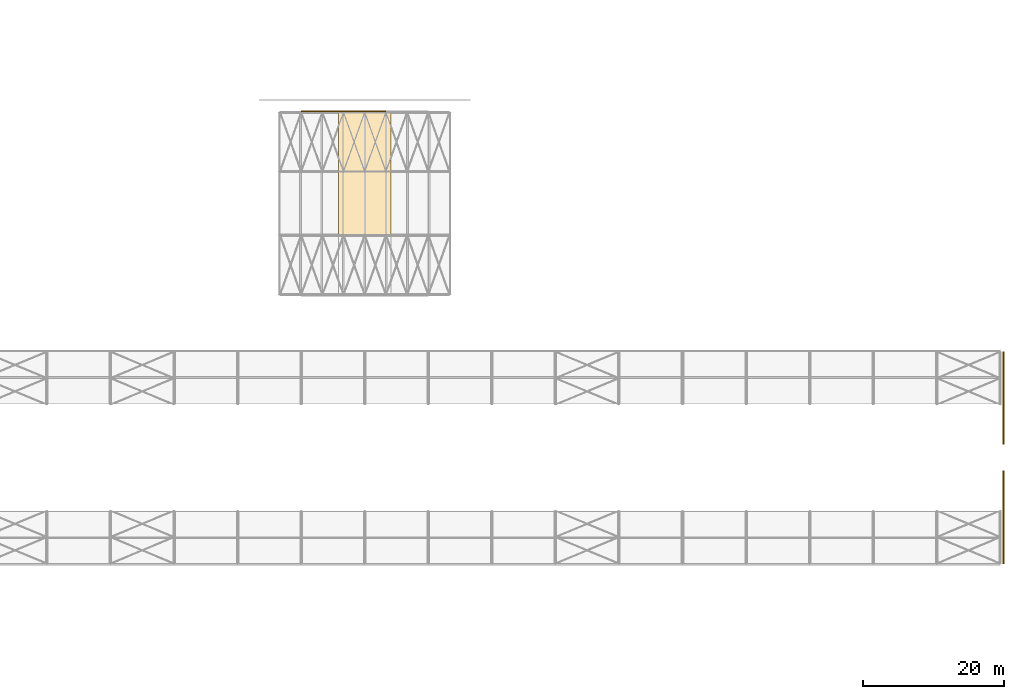
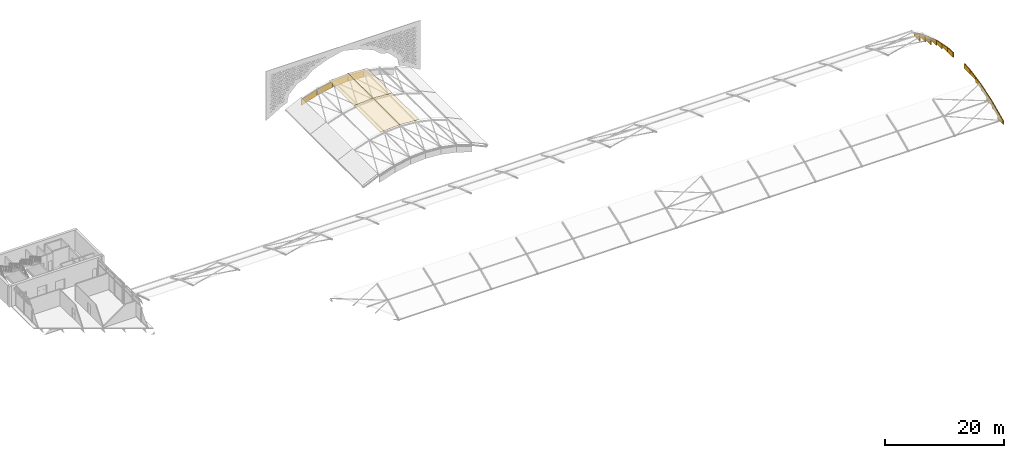
# One storey, part 50 of 54: 22 coverings.
"""IFC4 building model written with IfcOpenShell, lengths in metres."""

from ifc_helpers import new_model, si_unit, direction, frame, origin, place, context, subcontext, project, spatial, polyline, outline, extrude, material, layer, layer_set, type_object, element, save


model = new_model("IFC4")

# Units and contexts
model_context = context("Model", 3, precision=1e-05, world=origin(), true_north=direction((0.0, 1.0)))
body_context = subcontext(model_context, "Body", "Model", "MODEL_VIEW")
ifc_project = project(units=[si_unit("LENGTHUNIT", "METRE"), si_unit("AREAUNIT", "SQUARE_METRE"), si_unit("VOLUMEUNIT", "CUBIC_METRE"), si_unit("PLANEANGLEUNIT", "RADIAN"), si_unit("MASSUNIT", "GRAM", prefix="KILO")], contexts=[model_context])

# Site, building, storey
site_placement = place(None, origin())
site = spatial("IfcSite", under=ifc_project, at=site_placement, CompositionType="ELEMENT")
building_placement = place(site_placement, origin())
building = spatial("IfcBuilding", under=site, at=building_placement, Name="Baradari Gate Terminus", CompositionType="ELEMENT")
storey_placement = place(building_placement, frame((0.0, 0.0, 15.89990234375)))
storey = spatial("IfcBuildingStorey", under=building, at=storey_placement, Name="L03", CompositionType="ELEMENT", Elevation=15.89990234375)

# Coverings
ifc_material_1 = material(Name="Sandstone", Category="masonry")
ifc_layer_1 = layer(ifc_material_1, 0.14990234375)
ifc_layer_set_1 = layer_set([ifc_layer_1], Name="Sandstone")
covering_type_1 = type_object("IfcCoveringType", Name="Hall gable arch band", PredefinedType="CLADDING", material=ifc_layer_set_1)
covering_1_placement = place(storey_placement, frame((144.0, 107.5625, -0.022705078125), z_axis=(0.0, 0.0, 1.0), x_axis=(1.0, 0.0, 0.0)))
element("IfcCovering", 1, at=covering_1_placement, inside=storey, type_object=covering_type_1, Name="Hall gable arch band N4", PredefinedType="CLADDING", context=body_context, shape_type="SweptSolid", body=[
    extrude(outline(polyline([(0.0, 1.199951171875), (0.0, 0.0), (3.0, 1.005615234375), (3.0, 2.20556640625), (0.0, 1.199951171875)])), frame((0.0, 0.074951171875, 0.0), z_axis=(0.0, -1.0, 0.0), x_axis=(1.0, 0.0, 0.0)), (0.0, 0.0, 1.0), 0.14990234375),
])
covering_2_placement = place(storey_placement, frame((147.0, 107.5625, 0.98291015625), z_axis=(0.0, 0.0, 1.0), x_axis=(1.0, 0.0, 0.0)))
element("IfcCovering", 2, at=covering_2_placement, inside=storey, type_object=covering_type_1, Name="Hall gable arch band N5", PredefinedType="CLADDING", context=body_context, shape_type="SweptSolid", body=[
    extrude(outline(polyline([(0.0, 1.199951171875), (0.0, 0.0), (3.0, 0.602783203125), (3.0, 1.802734375), (0.0, 1.199951171875)])), frame((0.0, 0.074951171875, 0.0), z_axis=(0.0, -1.0, 0.0), x_axis=(1.0, 0.0, 0.0)), (0.0, 0.0, 1.0), 0.14990234375),
])
covering_3_placement = place(storey_placement, frame((150.0, 107.5625, 1.585693359375), z_axis=(0.0, 0.0, 1.0), x_axis=(1.0, 0.0, 0.0)))
element("IfcCovering", 3, at=covering_3_placement, inside=storey, type_object=covering_type_1, Name="Hall gable arch band N6", PredefinedType="CLADDING", context=body_context, shape_type="SweptSolid", body=[
    extrude(outline(polyline([(0.0, 1.199951171875), (0.0, 0.0), (3.0, 0.199951171875), (3.0, 1.39990234375), (0.0, 1.199951171875)])), frame((0.0, 0.074951171875, 0.0), z_axis=(0.0, -1.0, 0.0), x_axis=(1.0, 0.0, 0.0)), (0.0, 0.0, 1.0), 0.14990234375),
])
covering_4_placement = place(storey_placement, frame((153.0, 107.5625, 1.582763671875), z_axis=(0.0, 0.0, 1.0), x_axis=(1.0, 0.0, 0.0)))
element("IfcCovering", 4, at=covering_4_placement, inside=storey, type_object=covering_type_1, Name="Hall gable arch band N7", PredefinedType="CLADDING", context=body_context, shape_type="SweptSolid", body=[
    extrude(outline(polyline([(0.0, 1.40283203125), (0.0, 0.202880859375), (3.0, 0.0), (3.0, 1.2001953125), (0.0, 1.40283203125)])), frame((0.0, 0.074951171875, 0.0), z_axis=(0.0, -1.0, 0.0), x_axis=(1.0, 0.0, 0.0)), (0.0, 0.0, 1.0), 0.14990234375),
])
ifc_material_2 = material(Name="Laminated glass", Category="glass")
ifc_layer_2 = layer(ifc_material_2, 0.030029296875)
ifc_layer_set_2 = layer_set([ifc_layer_2], Name="Laminated glass")
covering_type_2 = type_object("IfcCoveringType", Name="Hall vault crown rooflight glazing", PredefinedType="ROOFING", material=ifc_layer_set_2)
for number, where, z_axis, x_axis, name in (
    (5, (149.27197265625, 90.0, 3.2548828125), (-0.066258788899, 0.0, 0.997802471882), (0.0, 1.0, 0.0), "RF/L03/VR2-RG05"),
    (6, (153.0, 90.0, 3.50244140625), (0.066258788899, 0.0, 0.997802471882), (0.0, 1.0, 0.0), "RF/L03/VR2-RG06"),
):
    element("IfcCovering", number, at=place(storey_placement, frame(where, z_axis=z_axis, x_axis=x_axis)), inside=storey, type_object=covering_type_2, Name=name, PredefinedType="ROOFING", context=body_context, shape_type="SweptSolid", body=[
        extrude(outline(polyline([(0.0, 0.0), (9.0, 0.0), (9.0, -3.736237831440493), (0.0, -3.736237831440493), (0.0, 0.0)])), origin(), (0.0, 0.0, -1.0), 0.030029296875),
    ])
for number, where, z_axis, x_axis, name in (
    (7, (149.27197265625, 99.0, 3.2548828125), (-0.066258788899, 0.0, 0.997802471882), (0.0, 1.0, 0.0), "RF/L03/VR3-RG05"),
    (8, (153.0, 99.0, 3.50244140625), (0.066258788899, 0.0, 0.997802471882), (0.0, 1.0, 0.0), "RF/L03/VR3-RG06"),
):
    element("IfcCovering", number, at=place(storey_placement, frame(where, z_axis=z_axis, x_axis=x_axis)), inside=storey, type_object=covering_type_2, Name=name, PredefinedType="ROOFING", context=body_context, shape_type="SweptSolid", body=[
        extrude(outline(polyline([(0.0, 0.0), (8.39990234375, 0.0), (8.39990234375, -3.736237831440493), (0.0, -3.736237831440493), (0.0, 0.0)])), origin(), (0.0, 0.0, -1.0), 0.030029296875),
    ])
ifc_material_3 = material(Name="Sandstone cladding", Category="masonry")
ifc_layer_3 = layer(ifc_material_3, 0.14990234375)
ifc_layer_set_3 = layer_set([ifc_layer_3], Name="Sandstone cladding")
covering_type_3 = type_object("IfcCoveringType", Name="Shed gable arch band GB2 150", PredefinedType="CLADDING", material=ifc_layer_set_3)
covering_5_placement = place(storey_placement, frame((243.449951171875, 43.5, 0.10009765625), z_axis=(0.0, 0.0, 1.0), x_axis=(0.0, 1.0, 0.0)))
element("IfcCovering", 9, at=covering_5_placement, inside=storey, type_object=covering_type_3, Name="Shed gable arch band 03a", PredefinedType="CLADDING", context=body_context, shape_type="SweptSolid", body=[
    extrude(outline(polyline([(1.875, 0.0), (1.875, 1.515380859375), (0.0, 0.640380859375), (0.0, 0.0), (1.875, 0.0)])), frame((0.0, 0.074951171875, 0.0), z_axis=(0.0, -1.0, 0.0), x_axis=(1.0, 0.0, 0.0)), (0.0, 0.0, 1.0), 0.14990234375),
])
covering_6_placement = place(storey_placement, frame((243.449951171875, 45.375, 1.10009765625), z_axis=(0.0, 0.0, 1.0), x_axis=(0.0, 1.0, 0.0)))
element("IfcCovering", 10, at=covering_6_placement, inside=storey, type_object=covering_type_3, Name="Shed gable arch band 03b", PredefinedType="CLADDING", context=body_context, shape_type="SweptSolid", body=[
    extrude(outline(polyline([(1.875, 0.0), (1.875, 1.390380859375), (0.0, 0.515380859375), (0.0, 0.0), (1.875, 0.0)])), frame((0.0, 0.074951171875, 0.0), z_axis=(0.0, -1.0, 0.0), x_axis=(1.0, 0.0, 0.0)), (0.0, 0.0, 1.0), 0.14990234375),
])
covering_7_placement = place(storey_placement, frame((243.449951171875, 47.25, 1.60009765625), z_axis=(0.0, 0.0, 1.0), x_axis=(0.0, 1.0, 0.0)))
element("IfcCovering", 11, at=covering_7_placement, inside=storey, type_object=covering_type_3, Name="Shed gable arch band 04a", PredefinedType="CLADDING", context=body_context, shape_type="SweptSolid", body=[
    extrude(outline(polyline([(1.875, 0.0), (1.875, 1.524169921875), (0.0, 0.899169921875), (0.0, 0.0), (1.875, 0.0)])), frame((0.0, 0.074951171875, 0.0), z_axis=(0.0, -1.0, 0.0), x_axis=(1.0, 0.0, 0.0)), (0.0, 0.0, 1.0), 0.14990234375),
])
covering_8_placement = place(storey_placement, frame((243.449951171875, 49.125, 2.60009765625), z_axis=(0.0, 0.0, 1.0), x_axis=(0.0, 1.0, 0.0)))
element("IfcCovering", 12, at=covering_8_placement, inside=storey, type_object=covering_type_3, Name="Shed gable arch band 04b", PredefinedType="CLADDING", context=body_context, shape_type="SweptSolid", body=[
    extrude(outline(polyline([(1.875, 0.0), (1.875, 1.149169921875), (0.0, 0.524169921875), (0.0, 0.0), (1.875, 0.0)])), frame((0.0, 0.074951171875, 0.0), z_axis=(0.0, -1.0, 0.0), x_axis=(1.0, 0.0, 0.0)), (0.0, 0.0, 1.0), 0.14990234375),
])
covering_9_placement = place(storey_placement, frame((243.449951171875, 51.0, 3.10009765625), z_axis=(0.0, 0.0, 1.0), x_axis=(0.0, 1.0, 0.0)))
element("IfcCovering", 13, at=covering_9_placement, inside=storey, type_object=covering_type_3, Name="Shed gable arch band 05a", PredefinedType="CLADDING", context=body_context, shape_type="SweptSolid", body=[
    extrude(outline(polyline([(1.875, 0.0), (1.875, 1.0302734375), (0.0, 0.6552734375), (0.0, 0.0), (1.875, 0.0)])), frame((0.0, 0.074951171875, 0.0), z_axis=(0.0, -1.0, 0.0), x_axis=(1.0, 0.0, 0.0)), (0.0, 0.0, 1.0), 0.14990234375),
])
covering_10_placement = place(storey_placement, frame((243.449951171875, 52.875, 3.60009765625), z_axis=(0.0, 0.0, 1.0), x_axis=(0.0, 1.0, 0.0)))
element("IfcCovering", 14, at=covering_10_placement, inside=storey, type_object=covering_type_3, Name="Shed gable arch band 05b", PredefinedType="CLADDING", context=body_context, shape_type="SweptSolid", body=[
    extrude(outline(polyline([(1.875, 0.0), (1.875, 0.9052734375), (0.0, 0.5302734375), (0.0, 0.0), (1.875, 0.0)])), frame((0.0, 0.074951171875, 0.0), z_axis=(0.0, -1.0, 0.0), x_axis=(1.0, 0.0, 0.0)), (0.0, 0.0, 1.0), 0.14990234375),
])
covering_11_placement = place(storey_placement, frame((243.449951171875, 54.75, 3.60009765625), z_axis=(0.0, 0.0, 1.0), x_axis=(0.0, 1.0, 0.0)))
element("IfcCovering", 15, at=covering_11_placement, inside=storey, type_object=covering_type_3, Name="Shed gable arch band 06a", PredefinedType="CLADDING", context=body_context, shape_type="SweptSolid", body=[
    extrude(outline(polyline([(1.875, 0.0), (1.875, 1.033203125), (0.0, 0.908203125), (0.0, 0.0), (1.875, 0.0)])), frame((0.0, 0.074951171875, 0.0), z_axis=(0.0, -1.0, 0.0), x_axis=(1.0, 0.0, 0.0)), (0.0, 0.0, 1.0), 0.14990234375),
])
covering_12_placement = place(storey_placement, frame((243.449951171875, 60.375, 3.60009765625), z_axis=(0.0, 0.0, 1.0), x_axis=(0.0, 1.0, 0.0)))
element("IfcCovering", 16, at=covering_12_placement, inside=storey, type_object=covering_type_3, Name="Shed gable arch band 07b", PredefinedType="CLADDING", context=body_context, shape_type="SweptSolid", body=[
    extrude(outline(polyline([(1.875, 0.0), (1.875, 0.908203125), (0.0, 1.033203125), (0.0, 0.0), (1.875, 0.0)])), frame((0.0, 0.074951171875, 0.0), z_axis=(0.0, -1.0, 0.0), x_axis=(1.0, 0.0, 0.0)), (0.0, 0.0, 1.0), 0.14990234375),
])
covering_13_placement = place(storey_placement, frame((243.449951171875, 62.25, 3.60009765625), z_axis=(0.0, 0.0, 1.0), x_axis=(0.0, 1.0, 0.0)))
element("IfcCovering", 17, at=covering_13_placement, inside=storey, type_object=covering_type_3, Name="Shed gable arch band 08a", PredefinedType="CLADDING", context=body_context, shape_type="SweptSolid", body=[
    extrude(outline(polyline([(1.875, 0.0), (1.875, 0.5302734375), (0.0, 0.9052734375), (0.0, 0.0), (1.875, 0.0)])), frame((0.0, 0.074951171875, 0.0), z_axis=(0.0, -1.0, 0.0), x_axis=(1.0, 0.0, 0.0)), (0.0, 0.0, 1.0), 0.14990234375),
])
covering_14_placement = place(storey_placement, frame((243.449951171875, 64.125, 3.10009765625), z_axis=(0.0, 0.0, 1.0), x_axis=(0.0, 1.0, 0.0)))
element("IfcCovering", 18, at=covering_14_placement, inside=storey, type_object=covering_type_3, Name="Shed gable arch band 08b", PredefinedType="CLADDING", context=body_context, shape_type="SweptSolid", body=[
    extrude(outline(polyline([(1.875, 0.0), (1.875, 0.6552734375), (0.0, 1.0302734375), (0.0, 0.0), (1.875, 0.0)])), frame((0.0, 0.074951171875, 0.0), z_axis=(0.0, -1.0, 0.0), x_axis=(1.0, 0.0, 0.0)), (0.0, 0.0, 1.0), 0.14990234375),
])
covering_15_placement = place(storey_placement, frame((243.449951171875, 66.0, 2.60009765625), z_axis=(0.0, 0.0, 1.0), x_axis=(0.0, 1.0, 0.0)))
element("IfcCovering", 19, at=covering_15_placement, inside=storey, type_object=covering_type_3, Name="Shed gable arch band 09a", PredefinedType="CLADDING", context=body_context, shape_type="SweptSolid", body=[
    extrude(outline(polyline([(1.875, 0.0), (1.875, 0.524169921875), (0.0, 1.149169921875), (0.0, 0.0), (1.875, 0.0)])), frame((0.0, 0.074951171875, 0.0), z_axis=(0.0, -1.0, 0.0), x_axis=(1.0, 0.0, 0.0)), (0.0, 0.0, 1.0), 0.14990234375),
])
covering_16_placement = place(storey_placement, frame((243.449951171875, 67.875, 1.60009765625), z_axis=(0.0, 0.0, 1.0), x_axis=(0.0, 1.0, 0.0)))
element("IfcCovering", 20, at=covering_16_placement, inside=storey, type_object=covering_type_3, Name="Shed gable arch band 09b", PredefinedType="CLADDING", context=body_context, shape_type="SweptSolid", body=[
    extrude(outline(polyline([(1.875, 0.0), (1.875, 0.899169921875), (0.0, 1.524169921875), (0.0, 0.0), (1.875, 0.0)])), frame((0.0, 0.074951171875, 0.0), z_axis=(0.0, -1.0, 0.0), x_axis=(1.0, 0.0, 0.0)), (0.0, 0.0, 1.0), 0.14990234375),
])
covering_17_placement = place(storey_placement, frame((243.449951171875, 69.75, 1.10009765625), z_axis=(0.0, 0.0, 1.0), x_axis=(0.0, 1.0, 0.0)))
element("IfcCovering", 21, at=covering_17_placement, inside=storey, type_object=covering_type_3, Name="Shed gable arch band 10a", PredefinedType="CLADDING", context=body_context, shape_type="SweptSolid", body=[
    extrude(outline(polyline([(1.875, 0.0), (1.875, 0.515380859375), (0.0, 1.390380859375), (0.0, 0.0), (1.875, 0.0)])), frame((0.0, 0.074951171875, 0.0), z_axis=(0.0, -1.0, 0.0), x_axis=(1.0, 0.0, 0.0)), (0.0, 0.0, 1.0), 0.14990234375),
])
covering_18_placement = place(storey_placement, frame((243.449951171875, 71.625, 0.10009765625), z_axis=(0.0, 0.0, 1.0), x_axis=(0.0, 1.0, 0.0)))
element("IfcCovering", 22, at=covering_18_placement, inside=storey, type_object=covering_type_3, Name="Shed gable arch band 10b", PredefinedType="CLADDING", context=body_context, shape_type="SweptSolid", body=[
    extrude(outline(polyline([(1.875, 0.0), (1.875, 0.640380859375), (0.0, 1.515380859375), (0.0, 0.0), (1.875, 0.0)])), frame((0.0, 0.074951171875, 0.0), z_axis=(0.0, -1.0, 0.0), x_axis=(1.0, 0.0, 0.0)), (0.0, 0.0, 1.0), 0.14990234375),
])

save(model, "model.ifc")
